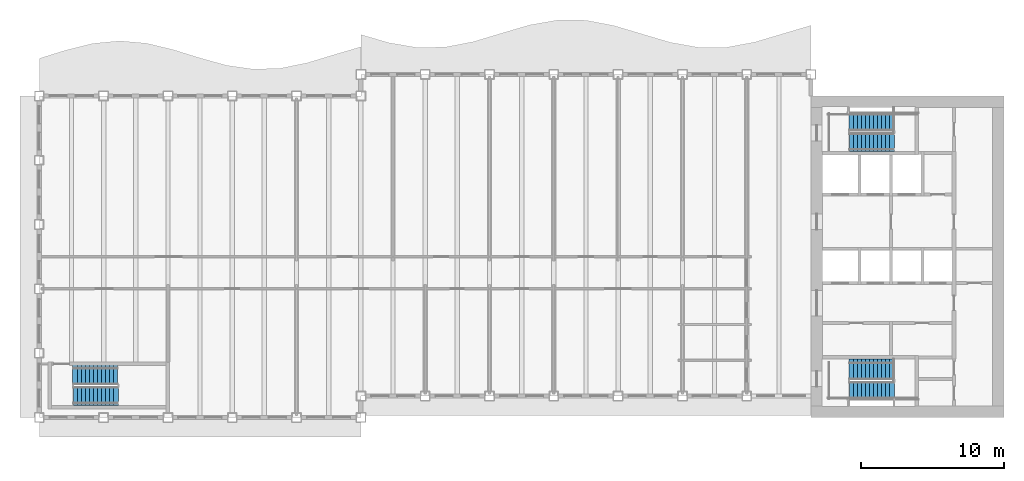
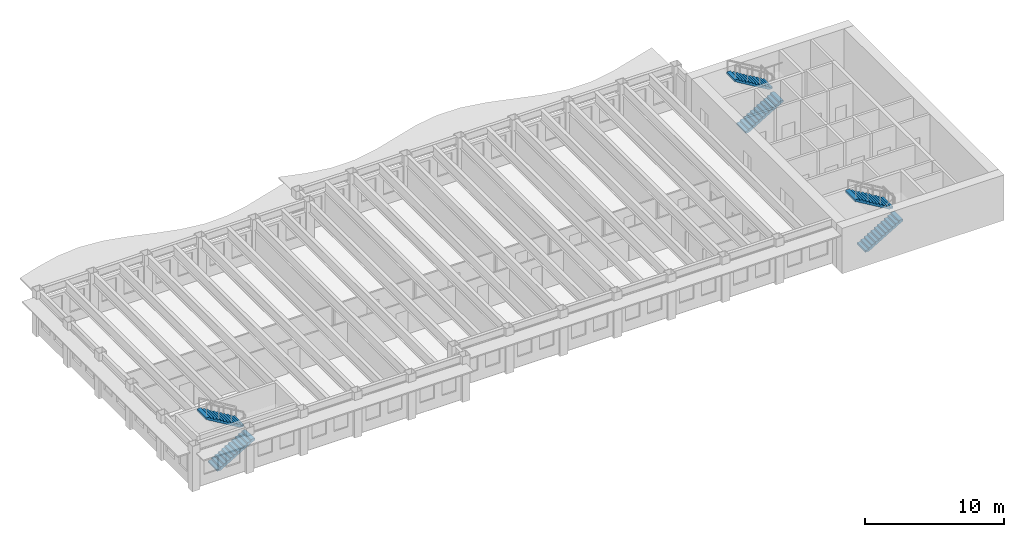
# One storey, part 7 of 12: 6 stair flights, 3 elements without a shape of their own.
"""IFC4 building model written with IfcOpenShell, lengths in metres."""

from ifc_helpers import new_model, si_unit, direction, frame, origin, place, context, subcontext, project, spatial, polyline, outline, extrude, material, type_object, element, aggregate, save


model = new_model("IFC4")

# Units and contexts
model_context = context("Model", 3, precision=1e-05, world=origin(), true_north=direction((0.0, 1.0)))
body_context = subcontext(model_context, "Body", "Model", "MODEL_VIEW")
ifc_project = project(units=[si_unit("LENGTHUNIT", "METRE"), si_unit("AREAUNIT", "SQUARE_METRE"), si_unit("VOLUMEUNIT", "CUBIC_METRE"), si_unit("PLANEANGLEUNIT", "RADIAN"), si_unit("MASSUNIT", "GRAM", prefix="KILO")], contexts=[model_context])

# Site, building, storey
site_placement = place(None, origin())
site = spatial("IfcSite", under=ifc_project, at=site_placement, CompositionType="ELEMENT")
building_placement = place(site_placement, origin())
building = spatial("IfcBuilding", under=site, at=building_placement, Name="Sennacour Bend Tower", CompositionType="ELEMENT")
storey_placement = place(building_placement, frame((0.0, 0.0, 249.0)))
storey = spatial("IfcBuildingStorey", under=building, at=storey_placement, Name="L57", CompositionType="ELEMENT", Elevation=249.0)

# Stair, stair flights
ifc_material = material(Name="Concrete C40/50", Category="concrete")
stair_type = type_object("IfcStairType", Name="ST-DOGLEG", PredefinedType="HALF_TURN_STAIR", material=ifc_material)
stair_1_placement = place(storey_placement, origin())
stair_1 = element("IfcStair", 1, at=stair_1_placement, inside=storey, type_object=stair_type, Name="L57 Exit stair A1", PredefinedType="HALF_TURN_STAIR")
stair_flight_type = type_object("IfcStairFlightType", Name="SFL-RC", PredefinedType="STRAIGHT", material=ifc_material)
stair_flight_1_placement = place(storey_placement, frame((56.699951171875, 1.89990234375, 0.0), z_axis=(0.0, 0.0, 1.0), x_axis=(1.0, 0.0, 0.0)))
stair_flight_1 = element("IfcStairFlight", 2, at=stair_flight_1_placement, type_object=stair_flight_type, Name="SA1 flight 1", NumberOfRisers=12, NumberOfTreads=11, PredefinedType="STRAIGHT", RiserHeight=0.166666667, TreadLength=0.28, context=body_context, shape_type="SweptSolid", body=[
    extrude(outline(polyline([(0.0, 0.0), (0.0, 0.166748046875), (0.280029296875, 0.166748046875), (0.280029296875, 0.333251953125), (0.56005859375, 0.333251953125), (0.56005859375, 0.5), (0.840087890625, 0.5), (0.840087890625, 0.666748046875), (1.1201171875, 0.666748046875), (1.1201171875, 0.833251953125), (1.39990234375, 0.833251953125), (1.39990234375, 1.0), (1.679931640625, 1.0), (1.679931640625, 1.166748046875), (1.9599609375, 1.166748046875), (1.9599609375, 1.333251953125), (2.239990234375, 1.333251953125), (2.239990234375, 1.5), (2.52001953125, 1.5), (2.52001953125, 1.666748046875), (2.800048828125, 1.666748046875), (2.800048828125, 1.833251953125), (3.080078125, 1.833251953125), (3.139892578125, 1.833251953125), (3.139892578125, 1.658935546875), (3.080078125, 1.658935546875), (0.29296875, 0.0), (0.0, 0.0)])), frame((0.0, 0.60009765625, 0.0), z_axis=(0.0, -1.0, 0.0), x_axis=(1.0, 0.0, 0.0)), (0.0, 0.0, 1.0), 1.199951171875),
])
stair_flight_2_placement = place(storey_placement, frame((59.780029296875, 3.37744140625, 2.0), z_axis=(0.0, 0.0, 1.0), x_axis=(-1.0, 0.0, 0.0)))
stair_flight_2 = element("IfcStairFlight", 3, at=stair_flight_2_placement, type_object=stair_flight_type, Name="SA1 flight 2", NumberOfRisers=12, NumberOfTreads=11, PredefinedType="STRAIGHT", RiserHeight=0.166666667, TreadLength=0.28, context=body_context, shape_type="SweptSolid", body=[
    extrude(outline(polyline([(0.0, 0.0), (0.0, 0.166748046875), (0.280029296875, 0.166748046875), (0.280029296875, 0.333251953125), (0.56005859375, 0.333251953125), (0.56005859375, 0.5), (0.840087890625, 0.5), (0.840087890625, 0.666748046875), (1.1201171875, 0.666748046875), (1.1201171875, 0.833251953125), (1.39990234375, 0.833251953125), (1.39990234375, 1.0), (1.679931640625, 1.0), (1.679931640625, 1.166748046875), (1.9599609375, 1.166748046875), (1.9599609375, 1.333251953125), (2.239990234375, 1.333251953125), (2.239990234375, 1.5), (2.52001953125, 1.5), (2.52001953125, 1.666748046875), (2.800048828125, 1.666748046875), (2.800048828125, 1.833251953125), (3.080078125, 1.833251953125), (3.139892578125, 1.833251953125), (3.139892578125, 1.658935546875), (3.080078125, 1.658935546875), (0.29296875, 0.0), (0.0, 0.0)])), frame((0.0, 0.7275390625, 0.0), z_axis=(0.0, -1.0, 0.0), x_axis=(1.0, 0.0, 0.0)), (0.0, 0.0, 1.0), 1.455078125),
])
aggregate(stair_1, [stair_flight_1, stair_flight_2])

stair_2_placement = place(storey_placement, origin())
stair_2 = element("IfcStair", 4, at=stair_2_placement, inside=storey, type_object=stair_type, Name="L57 Exit stair A2", PredefinedType="HALF_TURN_STAIR")
stair_flight_3_placement = place(storey_placement, frame((56.699951171875, 19.24755859375, 0.0), z_axis=(0.0, 0.0, 1.0), x_axis=(1.0, 0.0, 0.0)))
stair_flight_3 = element("IfcStairFlight", 5, at=stair_flight_3_placement, type_object=stair_flight_type, Name="SA2 flight 1", NumberOfRisers=12, NumberOfTreads=11, PredefinedType="STRAIGHT", RiserHeight=0.166666667, TreadLength=0.28, context=body_context, shape_type="SweptSolid", body=[
    extrude(outline(polyline([(0.0, 0.0), (0.0, 0.166748046875), (0.280029296875, 0.166748046875), (0.280029296875, 0.333251953125), (0.56005859375, 0.333251953125), (0.56005859375, 0.5), (0.840087890625, 0.5), (0.840087890625, 0.666748046875), (1.1201171875, 0.666748046875), (1.1201171875, 0.833251953125), (1.39990234375, 0.833251953125), (1.39990234375, 1.0), (1.679931640625, 1.0), (1.679931640625, 1.166748046875), (1.9599609375, 1.166748046875), (1.9599609375, 1.333251953125), (2.239990234375, 1.333251953125), (2.239990234375, 1.5), (2.52001953125, 1.5), (2.52001953125, 1.666748046875), (2.800048828125, 1.666748046875), (2.800048828125, 1.833251953125), (3.080078125, 1.833251953125), (3.139892578125, 1.833251953125), (3.139892578125, 1.658935546875), (3.080078125, 1.658935546875), (0.29296875, 0.0), (0.0, 0.0)])), frame((0.0, 0.65234375, 0.0), z_axis=(0.0, -1.0, 0.0), x_axis=(1.0, 0.0, 0.0)), (0.0, 0.0, 1.0), 1.304931640625),
])
stair_flight_4_placement = place(storey_placement, frame((59.780029296875, 20.64990234375, 2.0), z_axis=(0.0, 0.0, 1.0), x_axis=(-1.0, 0.0, 0.0)))
stair_flight_4 = element("IfcStairFlight", 6, at=stair_flight_4_placement, type_object=stair_flight_type, Name="SA2 flight 2", NumberOfRisers=12, NumberOfTreads=11, PredefinedType="STRAIGHT", RiserHeight=0.166666667, TreadLength=0.28, context=body_context, shape_type="SweptSolid", body=[
    extrude(outline(polyline([(0.0, 0.0), (0.0, 0.166748046875), (0.280029296875, 0.166748046875), (0.280029296875, 0.333251953125), (0.56005859375, 0.333251953125), (0.56005859375, 0.5), (0.840087890625, 0.5), (0.840087890625, 0.666748046875), (1.1201171875, 0.666748046875), (1.1201171875, 0.833251953125), (1.39990234375, 0.833251953125), (1.39990234375, 1.0), (1.679931640625, 1.0), (1.679931640625, 1.166748046875), (1.9599609375, 1.166748046875), (1.9599609375, 1.333251953125), (2.239990234375, 1.333251953125), (2.239990234375, 1.5), (2.52001953125, 1.5), (2.52001953125, 1.666748046875), (2.800048828125, 1.666748046875), (2.800048828125, 1.833251953125), (3.080078125, 1.833251953125), (3.139892578125, 1.833251953125), (3.139892578125, 1.658935546875), (3.080078125, 1.658935546875), (0.29296875, 0.0), (0.0, 0.0)])), frame((0.0, 0.60009765625, 0.0), z_axis=(0.0, -1.0, 0.0), x_axis=(1.0, 0.0, 0.0)), (0.0, 0.0, 1.0), 1.199951171875),
])
aggregate(stair_2, [stair_flight_3, stair_flight_4])

stair_3_placement = place(storey_placement, origin())
stair_3 = element("IfcStair", 7, at=stair_3_placement, inside=storey, type_object=stair_type, Name="L57 Exit stair K1", PredefinedType="HALF_TURN_STAIR")
stair_flight_5_placement = place(storey_placement, frame((2.39990234375, 1.485107421875, 0.0), z_axis=(0.0, 0.0, 1.0), x_axis=(1.0, 0.0, 0.0)))
stair_flight_5 = element("IfcStairFlight", 8, at=stair_flight_5_placement, type_object=stair_flight_type, Name="SK1 flight 1", NumberOfRisers=12, NumberOfTreads=11, PredefinedType="STRAIGHT", RiserHeight=0.166666667, TreadLength=0.28, context=body_context, shape_type="SweptSolid", body=[
    extrude(outline(polyline([(0.0, 0.0), (0.0, 0.166748046875), (0.280029296875, 0.166748046875), (0.280029296875, 0.333251953125), (0.56005859375, 0.333251953125), (0.56005859375, 0.5), (0.840087890625, 0.5), (0.840087890625, 0.666748046875), (1.1201171875, 0.666748046875), (1.1201171875, 0.833251953125), (1.39990234375, 0.833251953125), (1.39990234375, 1.0), (1.679931640625, 1.0), (1.679931640625, 1.166748046875), (1.9599609375, 1.166748046875), (1.9599609375, 1.333251953125), (2.239990234375, 1.333251953125), (2.239990234375, 1.5), (2.52001953125, 1.5), (2.52001953125, 1.666748046875), (2.800048828125, 1.666748046875), (2.800048828125, 1.833251953125), (3.080078125, 1.833251953125), (3.139892578125, 1.833251953125), (3.139892578125, 1.658935546875), (3.080078125, 1.658935546875), (0.29296875, 0.0), (0.0, 0.0)])), frame((0.0, 0.6650390625, 0.0), z_axis=(0.0, -1.0, 0.0), x_axis=(1.0, 0.0, 0.0)), (0.0, 0.0, 1.0), 1.330078125),
])
stair_flight_6_placement = place(storey_placement, frame((5.47998046875, 2.9775390625, 2.0), z_axis=(0.0, 0.0, 1.0), x_axis=(-1.0, 0.0, 0.0)))
stair_flight_6 = element("IfcStairFlight", 9, at=stair_flight_6_placement, type_object=stair_flight_type, Name="SK1 flight 2", NumberOfRisers=12, NumberOfTreads=11, PredefinedType="STRAIGHT", RiserHeight=0.166666667, TreadLength=0.28, context=body_context, shape_type="SweptSolid", body=[
    extrude(outline(polyline([(0.0, 0.0), (0.0, 0.166748046875), (0.280029296875, 0.166748046875), (0.280029296875, 0.333251953125), (0.56005859375, 0.333251953125), (0.56005859375, 0.5), (0.840087890625, 0.5), (0.840087890625, 0.666748046875), (1.1201171875, 0.666748046875), (1.1201171875, 0.833251953125), (1.39990234375, 0.833251953125), (1.39990234375, 1.0), (1.679931640625, 1.0), (1.679931640625, 1.166748046875), (1.9599609375, 1.166748046875), (1.9599609375, 1.333251953125), (2.239990234375, 1.333251953125), (2.239990234375, 1.5), (2.52001953125, 1.5), (2.52001953125, 1.666748046875), (2.800048828125, 1.666748046875), (2.800048828125, 1.833251953125), (3.080078125, 1.833251953125), (3.139892578125, 1.833251953125), (3.139892578125, 1.658935546875), (3.080078125, 1.658935546875), (0.29296875, 0.0), (0.0, 0.0)])), frame((0.0, 0.677490234375, 0.0), z_axis=(0.0, -1.0, 0.0), x_axis=(1.0, 0.0, 0.0)), (0.0, 0.0, 1.0), 1.35498046875),
])
aggregate(stair_3, [stair_flight_5, stair_flight_6])

save(model, "model.ifc")
